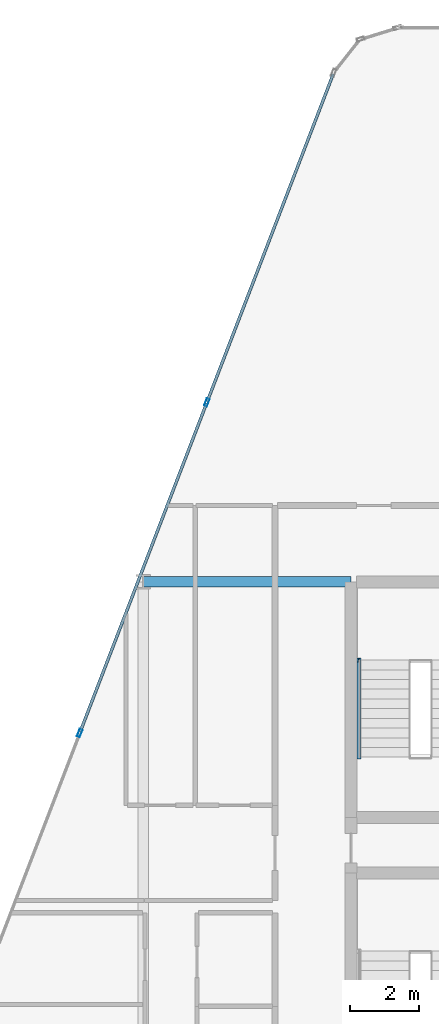
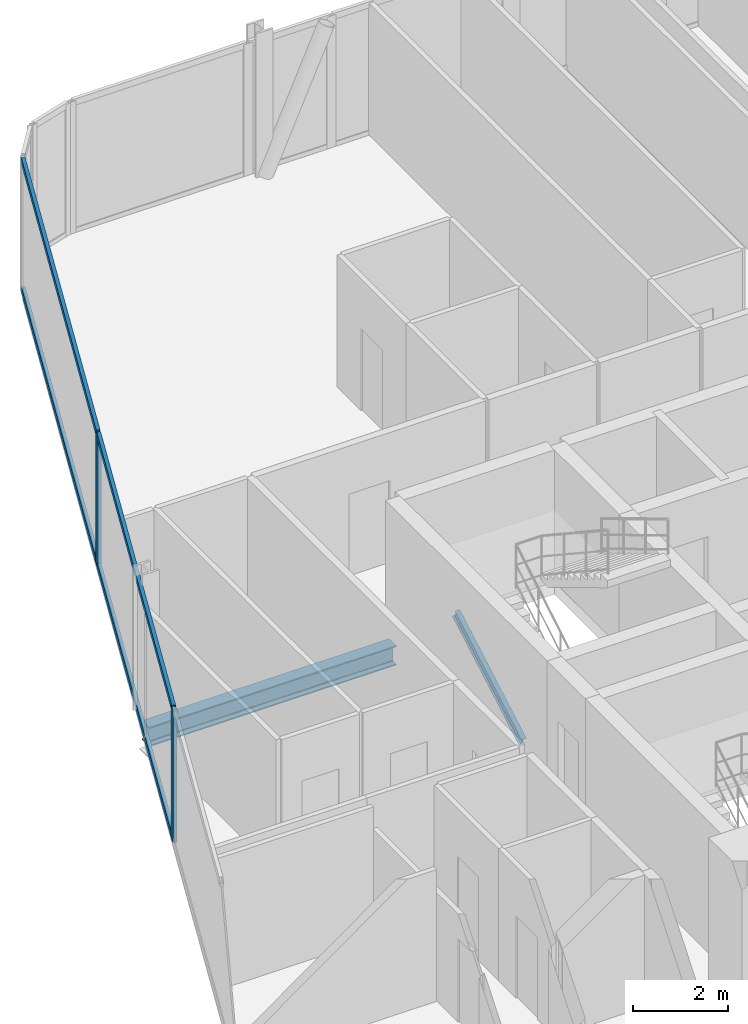
# One storey, part 11 of 33: 7 members, 1 beam, 1 element without a shape of its own.
"""IFC4 building model written with IfcOpenShell, lengths in metres."""

from ifc_helpers import new_model, si_unit, direction, frame, origin, origin_2d, place, context, subcontext, project, spatial, hollow_rectangle, i_section, extrude, material, layer, layer_set, material_profile, profile_set, type_object, element, aggregate, save


model = new_model("IFC4")

# Units and contexts
model_context = context("Model", 3, precision=1e-05, world=origin(), true_north=direction((0.0, 1.0)))
body_context = subcontext(model_context, "Body", "Model", "MODEL_VIEW")
ifc_project = project(units=[si_unit("LENGTHUNIT", "METRE"), si_unit("AREAUNIT", "SQUARE_METRE"), si_unit("VOLUMEUNIT", "CUBIC_METRE"), si_unit("PLANEANGLEUNIT", "RADIAN"), si_unit("MASSUNIT", "GRAM", prefix="KILO")], contexts=[model_context])

# Site, building, storey
site_placement = place(None, origin())
site = spatial("IfcSite", under=ifc_project, at=site_placement, CompositionType="ELEMENT")
building_placement = place(site_placement, origin())
building = spatial("IfcBuilding", under=site, at=building_placement, Name="Keshet Zoharim Tower", CompositionType="ELEMENT")
storey_placement = place(building_placement, frame((0.0, 0.0, 35.10009765625)))
storey = spatial("IfcBuildingStorey", under=building, at=storey_placement, Name="L07", CompositionType="ELEMENT", Elevation=35.10009765625)

# Beam
ifc_material_1 = material(Name="Steel S355", Category="steel")
ifc_material_profile_1 = material_profile(ifc_material_1, i_section(OverallWidth=0.300048828125, OverallDepth=0.5, WebThickness=0.014404296875, FlangeThickness=0.028076171875, FilletRadius=0.027099609375, at=origin_2d()), Name="HEB500")
ifc_profile_set_1 = profile_set([ifc_material_profile_1], Name="Steel S355")
beam_type = type_object("IfcBeamType", Name="BM-WEB-HB500", PredefinedType="BEAM", material=ifc_profile_set_1)
beam_placement = place(storey_placement, frame((9.0, 37.89990234375, -0.565185546875), z_axis=(1.0, 0.0, 0.0), x_axis=(0.0, 1.0, 0.0)))
element("IfcBeam", 1, at=beam_placement, inside=storey, type_object=beam_type, Name="L07 Primary Girder X-028", PredefinedType="BEAM", context=body_context, shape_type="SweptSolid", body=[
    extrude(i_section(OverallWidth=0.300048828125, OverallDepth=0.5, WebThickness=0.014404296875, FlangeThickness=0.028076171875, FilletRadius=0.027099609375, at=origin_2d()), origin(), (0.0, 0.0, 1.0), 6.0),
])

# Curtain wall, members
ifc_material_2 = material(Name="Aluminium 6063-T6", Category="aluminium")
ifc_layer = layer(ifc_material_2, 0.179931640625)
ifc_layer_set = layer_set([ifc_layer], Name="Aluminium 6063-T6")
curtain_wall_type = type_object("IfcCurtainWallType", Name="CW-SYS-01", PredefinedType="NOTDEFINED", material=ifc_layer_set)
curtain_wall_placement = place(storey_placement, origin())
curtain_wall = element("IfcCurtainWall", 2, at=curtain_wall_placement, inside=storey, type_object=curtain_wall_type, Name="L07 Unitised Curtain Wall 04", PredefinedType="NOTDEFINED")
ifc_material_profile_2 = material_profile(ifc_material_2, hollow_rectangle(XDim=0.090087890625, YDim=0.219970703125, WallThickness=0.0048828125, at=origin_2d()), Name="MUL-90x220")
ifc_profile_set_2 = profile_set([ifc_material_profile_2], Name="Aluminium 6063-T6")
member_type_1 = type_object("IfcMemberType", Name="CWM-M22", PredefinedType="MULLION", material=ifc_profile_set_2)
member_1_placement = place(storey_placement, frame((7.1669921875, 33.53466796875, 0.0), z_axis=(0.0, 0.0, 1.0), x_axis=(-0.933341404361, 0.358990003907, 0.0)))
member_1 = element("IfcMember", 3, at=member_1_placement, type_object=member_type_1, Name="CW-01 mullion 2", PredefinedType="MULLION", context=body_context, shape_type="SweptSolid", body=[
    extrude(hollow_rectangle(XDim=0.090087890625, YDim=0.219970703125, WallThickness=0.0048828125, at=origin_2d()), origin(), (0.0, 0.0, 1.0), 3.385009765625),
])
member_2_placement = place(storey_placement, frame((10.8369140625, 43.076416015625, 0.0), z_axis=(0.0, 0.0, 1.0), x_axis=(-0.933341404361, 0.358990003907, 0.0)))
member_2 = element("IfcMember", 4, at=member_2_placement, type_object=member_type_1, Name="CW-01 mullion 3", PredefinedType="MULLION", context=body_context, shape_type="SweptSolid", body=[
    extrude(hollow_rectangle(XDim=0.090087890625, YDim=0.219970703125, WallThickness=0.0048828125, at=origin_2d()), origin(), (0.0, 0.0, 1.0), 3.385009765625),
])
ifc_material_profile_3 = material_profile(ifc_material_2, hollow_rectangle(XDim=0.0849609375, YDim=0.159912109375, WallThickness=0.00439453125, at=origin_2d()), Name="TRN-85x160")
ifc_profile_set_3 = profile_set([ifc_material_profile_3], Name="Aluminium 6063-T6")
member_type_2 = type_object("IfcMemberType", Name="CWT-T16", PredefinedType="USERDEFINED", material=ifc_profile_set_3)
member_3_placement = place(storey_placement, frame((7.179443359375, 33.5673828125, 0.034912109375), z_axis=(0.359003248899, 0.933336309848, 0.0), x_axis=(-0.933336309848, 0.359003248899, 0.0)))
member_3 = element("IfcMember", 5, at=member_3_placement, type_object=member_type_2, Name="CW-01 transom 2.1", ObjectType="TRANSOM", PredefinedType="USERDEFINED", context=body_context, shape_type="SweptSolid", body=[
    extrude(hollow_rectangle(XDim=0.0849609375, YDim=0.159912109375, WallThickness=0.00439453125, at=origin_2d()), origin(), (0.0, 0.0, 1.0), 10.153076171875),
])
member_4_placement = place(storey_placement, frame((7.179443359375, 33.5673828125, 3.349853515625), z_axis=(0.359003248899, 0.933336309848, 0.0), x_axis=(-0.933336309848, 0.359003248899, 0.0)))
member_4 = element("IfcMember", 6, at=member_4_placement, type_object=member_type_2, Name="CW-01 transom 2.2", ObjectType="TRANSOM", PredefinedType="USERDEFINED", context=body_context, shape_type="SweptSolid", body=[
    extrude(hollow_rectangle(XDim=0.0849609375, YDim=0.159912109375, WallThickness=0.00439453125, at=origin_2d()), origin(), (0.0, 0.0, 1.0), 10.153076171875),
])
member_5_placement = place(storey_placement, frame((10.849609375, 43.10888671875, 0.034912109375), z_axis=(0.358985546764, 0.933343118694, 0.0), x_axis=(-0.933343118694, 0.358985546764, 0.0)))
member_5 = element("IfcMember", 7, at=member_5_placement, type_object=member_type_2, Name="CW-01 transom 3.1", ObjectType="TRANSOM", PredefinedType="USERDEFINED", context=body_context, shape_type="SweptSolid", body=[
    extrude(hollow_rectangle(XDim=0.0849609375, YDim=0.159912109375, WallThickness=0.00439453125, at=origin_2d()), origin(), (0.0, 0.0, 1.0), 10.118408203125),
])
member_6_placement = place(storey_placement, frame((10.849609375, 43.10888671875, 3.349853515625), z_axis=(0.358985546764, 0.933343118694, 0.0), x_axis=(-0.933343118694, 0.358985546764, 0.0)))
member_6 = element("IfcMember", 8, at=member_6_placement, type_object=member_type_2, Name="CW-01 transom 3.2", ObjectType="TRANSOM", PredefinedType="USERDEFINED", context=body_context, shape_type="SweptSolid", body=[
    extrude(hollow_rectangle(XDim=0.0849609375, YDim=0.159912109375, WallThickness=0.00439453125, at=origin_2d()), origin(), (0.0, 0.0, 1.0), 10.118408203125),
])
aggregate(curtain_wall, [member_1, member_2, member_3, member_4, member_5, member_6])

# Member
ifc_material_profile_4 = material_profile(ifc_material_1, i_section(OverallWidth=0.1201171875, OverallDepth=0.239990234375, WebThickness=0.006103515625, FlangeThickness=0.009765625, FilletRadius=0.014892578125, at=origin_2d()), Name="IPE240")
ifc_profile_set_4 = profile_set([ifc_material_profile_4], Name="Steel S355")
member_type_3 = type_object("IfcMemberType", Name="MB-STRG-IP240", PredefinedType="STRINGER", material=ifc_profile_set_4)
member_7_placement = place(storey_placement, frame((15.22998046875, 32.840087890625, 0.119873046875), z_axis=(0.0, 0.866876903101, 0.498522251129), x_axis=(-1.0, 0.0, 0.0)))
element("IfcMember", 9, at=member_7_placement, inside=storey, type_object=member_type_3, Name="L07 ST-02 Flight Steel Stringer", PredefinedType="STRINGER", context=body_context, shape_type="SweptSolid", body=[
    extrude(i_section(OverallWidth=0.1201171875, OverallDepth=0.239990234375, WebThickness=0.006103515625, FlangeThickness=0.009765625, FilletRadius=0.014892578125, at=origin_2d()), origin(), (0.0, 0.0, 1.0), 3.229736328125),
])

save(model, "model.ifc")
